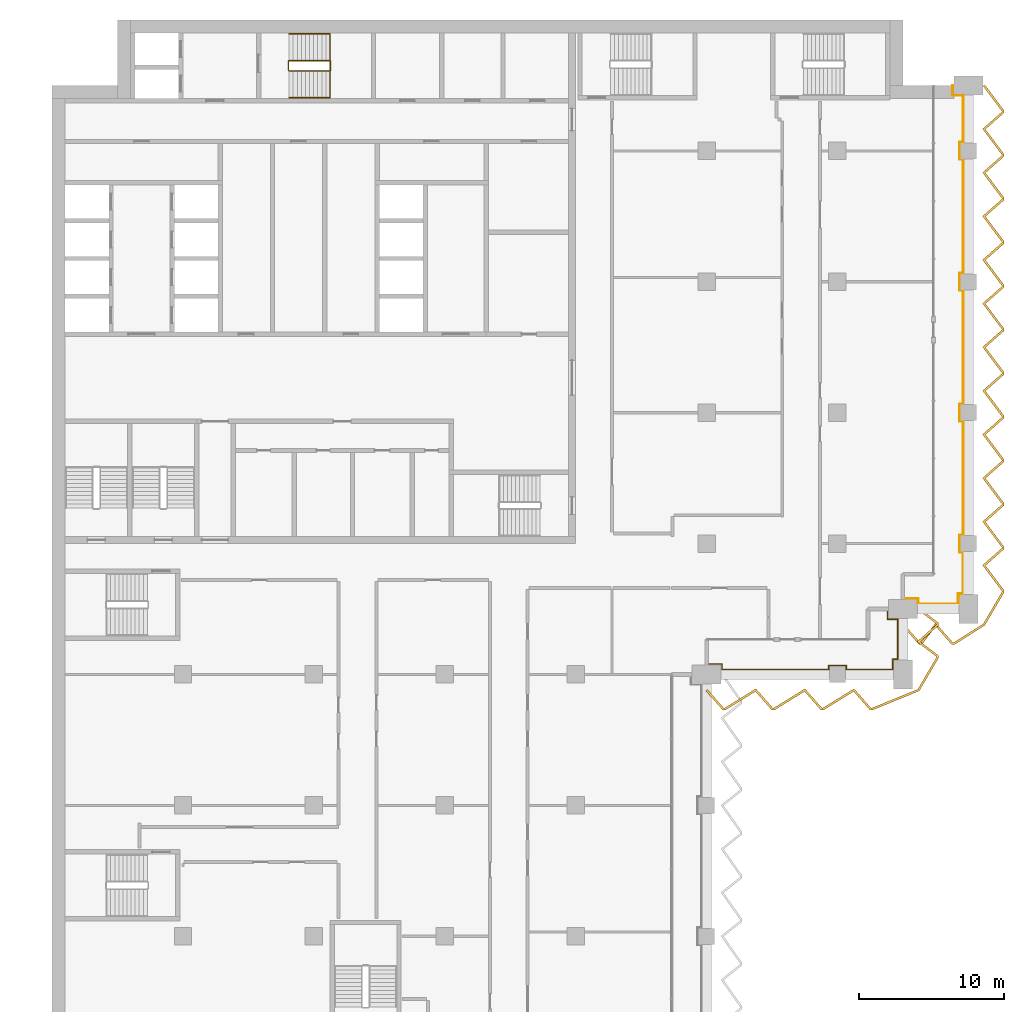
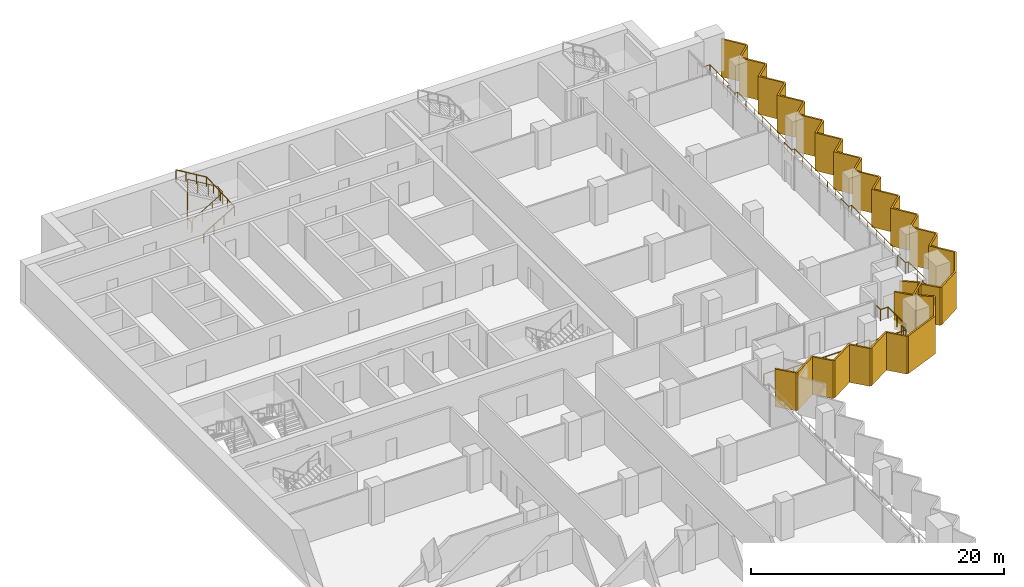
# One storey, part 22 of 23: 4 railings, 2 shading devices.
"""IFC4 building model written with IfcOpenShell, lengths in metres."""

from ifc_helpers import new_model, si_unit, direction, frame, origin, origin_2d, place, context, subcontext, project, spatial, polyline, circle, outline, extrude, material, layer, layer_set, type_object, element, save


model = new_model("IFC4")

# Units and contexts
model_context = context("Model", 3, precision=1e-05, world=origin(), true_north=direction((0.0, 1.0)))
body_context = subcontext(model_context, "Body", "Model", "MODEL_VIEW")
ifc_project = project(units=[si_unit("LENGTHUNIT", "METRE"), si_unit("AREAUNIT", "SQUARE_METRE"), si_unit("VOLUMEUNIT", "CUBIC_METRE"), si_unit("PLANEANGLEUNIT", "RADIAN"), si_unit("MASSUNIT", "GRAM", prefix="KILO")], contexts=[model_context])

# Site, building, storey
site_placement = place(None, origin())
site = spatial("IfcSite", under=ifc_project, at=site_placement, CompositionType="ELEMENT")
building_placement = place(site_placement, origin())
building = spatial("IfcBuilding", under=site, at=building_placement, Name="Hunhe Ridgeline Campus", CompositionType="ELEMENT")
storey_placement = place(building_placement, frame((0.0, 0.0, 148.60009765625)))
storey = spatial("IfcBuildingStorey", under=building, at=storey_placement, Name="L37", CompositionType="ELEMENT", Elevation=148.60009765625)

# Railings
ifc_material_1 = material(Name="Steel Q355", Category="steel")
railing_type_1 = type_object("IfcRailingType", Name="Loggia guard 1100 Steel Q355", PredefinedType="GUARDRAIL", material=ifc_material_1)
railing_1_placement = place(storey_placement, frame((45.0, 54.719970703125, 0.0)))
element("IfcRailing", 1, at=railing_1_placement, inside=storey, type_object=railing_type_1, Name="Loggia guard 2", PredefinedType="GUARDRAIL", context=body_context, shape_type="SweptSolid", body=[
    extrude(circle(Radius=0.02392578125, at=origin_2d()), frame((0.0, 0.0, 1.076171875), z_axis=(1.0, 0.0, 0.0), x_axis=(0.0, 1.0, 0.0)), (0.0, 0.0, 1.0), 1.050048828125),
    extrude(circle(Radius=0.02392578125, at=origin_2d()), frame((1.050048828125, 0.0, 1.076171875), z_axis=(0.0, -1.0, 0.0), x_axis=(1.0, 0.0, 0.0)), (0.0, 0.0, 1.0), 0.369873046875),
    extrude(circle(Radius=0.02392578125, at=origin_2d()), frame((1.050048828125, -0.369873046875, 1.076171875), z_axis=(1.0, 0.0, 0.0), x_axis=(0.0, 1.0, 0.0)), (0.0, 0.0, 1.0), 7.349853515625),
    extrude(circle(Radius=0.02392578125, at=origin_2d()), frame((8.39990234375, -0.369873046875, 1.076171875), z_axis=(0.0, 1.0, 0.0), x_axis=(-1.0, 0.0, 0.0)), (0.0, 0.0, 1.0), 0.27001953125),
    extrude(circle(Radius=0.02392578125, at=origin_2d()), frame((8.39990234375, -0.099853515625, 1.076171875), z_axis=(1.0, 0.0, 0.0), x_axis=(0.0, 1.0, 0.0)), (0.0, 0.0, 1.0), 1.2001953125),
    extrude(circle(Radius=0.02392578125, at=origin_2d()), frame((9.60009765625, -0.099853515625, 1.076171875), z_axis=(0.0, -1.0, 0.0), x_axis=(1.0, 0.0, 0.0)), (0.0, 0.0, 1.0), 0.27001953125),
    extrude(circle(Radius=0.02392578125, at=origin_2d()), frame((9.60009765625, -0.369873046875, 1.076171875), z_axis=(1.0, 0.0, 0.0), x_axis=(0.0, 1.0, 0.0)), (0.0, 0.0, 1.0), 3.199951171875),
    extrude(circle(Radius=0.02392578125, at=origin_2d()), frame((12.800048828125, -0.369873046875, 1.076171875), z_axis=(0.0, 1.0, 0.0), x_axis=(-1.0, 0.0, 0.0)), (0.0, 0.0, 1.0), 0.719970703125),
    extrude(circle(Radius=0.02392578125, at=origin_2d()), frame((12.800048828125, 0.35009765625, 1.076171875), z_axis=(-0.057089444596, -0.998369067688, 0.0), x_axis=(0.998369067688, -0.057089444596, 0.0)), (0.0, 0.0, 1.0), 0.3505859375),
    extrude(circle(Radius=0.02392578125, at=origin_2d()), frame((12.780029296875, 0.0, 1.076171875), z_axis=(0.0, 1.0, 0.0), x_axis=(-1.0, 0.0, 0.0)), (0.0, 0.0, 1.0), 0.330078125),
    extrude(circle(Radius=0.02392578125, at=origin_2d()), frame((12.780029296875, 0.330078125, 1.076171875), z_axis=(1.0, 0.0, 0.0), x_axis=(0.0, 1.0, 0.0)), (0.0, 0.0, 1.0), 0.369873046875),
    extrude(circle(Radius=0.02392578125, at=origin_2d()), frame((13.14990234375, 0.330078125, 1.076171875), z_axis=(0.0, 1.0, 0.0), x_axis=(-1.0, 0.0, 0.0)), (0.0, 0.0, 1.0), 2.75),
    extrude(circle(Radius=0.02392578125, at=origin_2d()), frame((13.14990234375, 3.080078125, 1.076171875), z_axis=(-1.0, 0.0, 0.0), x_axis=(0.0, -1.0, 0.0)), (0.0, 0.0, 1.0), 0.719970703125),
    extrude(circle(Radius=0.02392578125, at=origin_2d()), frame((12.429931640625, 3.080078125, 1.076171875), z_axis=(0.0, 1.0, 0.0), x_axis=(-1.0, 0.0, 0.0)), (0.0, 0.0, 1.0), 0.699951171875),
    extrude(circle(Radius=0.02099609375, at=origin_2d()), origin(), (0.0, 0.0, 1.0), 1.052001953125),
    extrude(circle(Radius=0.02099609375, at=origin_2d()), frame((1.050048828125, 0.0, 0.0)), (0.0, 0.0, 1.0), 1.052001953125),
    extrude(circle(Radius=0.02099609375, at=origin_2d()), frame((1.050048828125, -0.369873046875, 0.0)), (0.0, 0.0, 1.0), 1.052001953125),
    extrude(circle(Radius=0.02099609375, at=origin_2d()), frame((2.52001953125, -0.369873046875, 0.0)), (0.0, 0.0, 1.0), 1.052001953125),
    extrude(circle(Radius=0.02099609375, at=origin_2d()), frame((3.989990234375, -0.369873046875, 0.0)), (0.0, 0.0, 1.0), 1.052001953125),
    extrude(circle(Radius=0.02099609375, at=origin_2d()), frame((5.4599609375, -0.369873046875, 0.0)), (0.0, 0.0, 1.0), 1.052001953125),
    extrude(circle(Radius=0.02099609375, at=origin_2d()), frame((6.929931640625, -0.369873046875, 0.0)), (0.0, 0.0, 1.0), 1.052001953125),
    extrude(circle(Radius=0.02099609375, at=origin_2d()), frame((8.39990234375, -0.369873046875, 0.0)), (0.0, 0.0, 1.0), 1.052001953125),
    extrude(circle(Radius=0.02099609375, at=origin_2d()), frame((8.39990234375, -0.099853515625, 0.0)), (0.0, 0.0, 1.0), 1.052001953125),
    extrude(circle(Radius=0.02099609375, at=origin_2d()), frame((9.60009765625, -0.099853515625, 0.0)), (0.0, 0.0, 1.0), 1.052001953125),
    extrude(circle(Radius=0.02099609375, at=origin_2d()), frame((9.60009765625, -0.369873046875, 0.0)), (0.0, 0.0, 1.0), 1.052001953125),
    extrude(circle(Radius=0.02099609375, at=origin_2d()), frame((10.666748046875, -0.369873046875, 0.0)), (0.0, 0.0, 1.0), 1.052001953125),
    extrude(circle(Radius=0.02099609375, at=origin_2d()), frame((11.7333984375, -0.369873046875, 0.0)), (0.0, 0.0, 1.0), 1.052001953125),
    extrude(circle(Radius=0.02099609375, at=origin_2d()), frame((12.800048828125, -0.369873046875, 0.0)), (0.0, 0.0, 1.0), 1.052001953125),
    extrude(circle(Radius=0.02099609375, at=origin_2d()), frame((12.800048828125, 0.35009765625, 0.0)), (0.0, 0.0, 1.0), 1.052001953125),
    extrude(circle(Radius=0.02099609375, at=origin_2d()), frame((12.780029296875, 0.0, 0.0)), (0.0, 0.0, 1.0), 1.052001953125),
    extrude(circle(Radius=0.02099609375, at=origin_2d()), frame((12.780029296875, 0.330078125, 0.0)), (0.0, 0.0, 1.0), 1.052001953125),
    extrude(circle(Radius=0.02099609375, at=origin_2d()), frame((13.14990234375, 0.330078125, 0.0)), (0.0, 0.0, 1.0), 1.052001953125),
    extrude(circle(Radius=0.02099609375, at=origin_2d()), frame((13.14990234375, 1.705078125, 0.0)), (0.0, 0.0, 1.0), 1.052001953125),
    extrude(circle(Radius=0.02099609375, at=origin_2d()), frame((13.14990234375, 3.080078125, 0.0)), (0.0, 0.0, 1.0), 1.052001953125),
    extrude(circle(Radius=0.02099609375, at=origin_2d()), frame((12.429931640625, 3.080078125, 0.0)), (0.0, 0.0, 1.0), 1.052001953125),
    extrude(circle(Radius=0.02099609375, at=origin_2d()), frame((12.429931640625, 3.780029296875, 0.0)), (0.0, 0.0, 1.0), 1.052001953125),
])
railing_2_placement = place(storey_placement, frame((58.5, 59.219970703125, 0.0)))
element("IfcRailing", 2, at=railing_2_placement, inside=storey, type_object=railing_type_1, Name="Loggia guard 3", PredefinedType="GUARDRAIL", context=body_context, shape_type="SweptSolid", body=[
    extrude(circle(Radius=0.02392578125, at=origin_2d()), frame((0.0, 0.0, 1.076171875), z_axis=(1.0, 0.0, 0.0), x_axis=(0.0, 1.0, 0.0)), (0.0, 0.0, 1.0), 1.050048828125),
    extrude(circle(Radius=0.02392578125, at=origin_2d()), frame((1.050048828125, 0.0, 1.076171875), z_axis=(0.0, -1.0, 0.0), x_axis=(1.0, 0.0, 0.0)), (0.0, 0.0, 1.0), 0.369873046875),
    extrude(circle(Radius=0.02392578125, at=origin_2d()), frame((1.050048828125, -0.369873046875, 1.076171875), z_axis=(1.0, 0.0, 0.0), x_axis=(0.0, 1.0, 0.0)), (0.0, 0.0, 1.0), 2.75),
    extrude(circle(Radius=0.02392578125, at=origin_2d()), frame((3.800048828125, -0.369873046875, 1.076171875), z_axis=(0.0, 1.0, 0.0), x_axis=(-1.0, 0.0, 0.0)), (0.0, 0.0, 1.0), 0.719970703125),
    extrude(circle(Radius=0.02392578125, at=origin_2d()), frame((3.800048828125, 0.35009765625, 1.076171875), z_axis=(-0.057089444596, -0.998369067688, 0.0), x_axis=(0.998369067688, -0.057089444596, 0.0)), (0.0, 0.0, 1.0), 0.3505859375),
    extrude(circle(Radius=0.02392578125, at=origin_2d()), frame((3.780029296875, 0.0, 1.076171875), z_axis=(0.0, 1.0, 0.0), x_axis=(-1.0, 0.0, 0.0)), (0.0, 0.0, 1.0), 0.330078125),
    extrude(circle(Radius=0.02392578125, at=origin_2d()), frame((3.780029296875, 0.330078125, 1.076171875), z_axis=(1.0, 0.0, 0.0), x_axis=(0.0, 1.0, 0.0)), (0.0, 0.0, 1.0), 0.369873046875),
    extrude(circle(Radius=0.02392578125, at=origin_2d()), frame((4.14990234375, 0.330078125, 1.076171875), z_axis=(0.0, 1.0, 0.0), x_axis=(-1.0, 0.0, 0.0)), (0.0, 0.0, 1.0), 2.849853515625),
    extrude(circle(Radius=0.02392578125, at=origin_2d()), frame((4.14990234375, 3.179931640625, 1.076171875), z_axis=(-1.0, 0.0, 0.0), x_axis=(0.0, -1.0, 0.0)), (0.0, 0.0, 1.0), 0.27001953125),
    extrude(circle(Radius=0.02392578125, at=origin_2d()), frame((3.8798828125, 3.179931640625, 1.076171875), z_axis=(0.0, 1.0, 0.0), x_axis=(-1.0, 0.0, 0.0)), (0.0, 0.0, 1.0), 1.2001953125),
    extrude(circle(Radius=0.02392578125, at=origin_2d()), frame((3.8798828125, 4.380126953125, 1.076171875), z_axis=(1.0, 0.0, 0.0), x_axis=(0.0, 1.0, 0.0)), (0.0, 0.0, 1.0), 0.27001953125),
    extrude(circle(Radius=0.02392578125, at=origin_2d()), frame((4.14990234375, 4.380126953125, 1.076171875), z_axis=(0.0, 1.0, 0.0), x_axis=(-1.0, 0.0, 0.0)), (0.0, 0.0, 1.0), 7.7998046875),
    extrude(circle(Radius=0.02392578125, at=origin_2d()), frame((4.14990234375, 12.179931640625, 1.076171875), z_axis=(-1.0, 0.0, 0.0), x_axis=(0.0, -1.0, 0.0)), (0.0, 0.0, 1.0), 0.27001953125),
    extrude(circle(Radius=0.02392578125, at=origin_2d()), frame((3.8798828125, 12.179931640625, 1.076171875), z_axis=(0.0, 1.0, 0.0), x_axis=(-1.0, 0.0, 0.0)), (0.0, 0.0, 1.0), 1.2001953125),
    extrude(circle(Radius=0.02392578125, at=origin_2d()), frame((3.8798828125, 13.380126953125, 1.076171875), z_axis=(1.0, 0.0, 0.0), x_axis=(0.0, 1.0, 0.0)), (0.0, 0.0, 1.0), 0.27001953125),
    extrude(circle(Radius=0.02392578125, at=origin_2d()), frame((4.14990234375, 13.380126953125, 1.076171875), z_axis=(0.0, 1.0, 0.0), x_axis=(-1.0, 0.0, 0.0)), (0.0, 0.0, 1.0), 7.7998046875),
    extrude(circle(Radius=0.02392578125, at=origin_2d()), frame((4.14990234375, 21.179931640625, 1.076171875), z_axis=(-1.0, 0.0, 0.0), x_axis=(0.0, -1.0, 0.0)), (0.0, 0.0, 1.0), 0.27001953125),
    extrude(circle(Radius=0.02392578125, at=origin_2d()), frame((3.8798828125, 21.179931640625, 1.076171875), z_axis=(0.0, 1.0, 0.0), x_axis=(-1.0, 0.0, 0.0)), (0.0, 0.0, 1.0), 1.2001953125),
    extrude(circle(Radius=0.02392578125, at=origin_2d()), frame((3.8798828125, 22.380126953125, 1.076171875), z_axis=(1.0, 0.0, 0.0), x_axis=(0.0, 1.0, 0.0)), (0.0, 0.0, 1.0), 0.27001953125),
    extrude(circle(Radius=0.02392578125, at=origin_2d()), frame((4.14990234375, 22.380126953125, 1.076171875), z_axis=(0.0, 1.0, 0.0), x_axis=(-1.0, 0.0, 0.0)), (0.0, 0.0, 1.0), 7.7998046875),
    extrude(circle(Radius=0.02392578125, at=origin_2d()), frame((4.14990234375, 30.179931640625, 1.076171875), z_axis=(-1.0, 0.0, 0.0), x_axis=(0.0, -1.0, 0.0)), (0.0, 0.0, 1.0), 0.27001953125),
    extrude(circle(Radius=0.02392578125, at=origin_2d()), frame((3.8798828125, 30.179931640625, 1.076171875), z_axis=(0.0, 1.0, 0.0), x_axis=(-1.0, 0.0, 0.0)), (0.0, 0.0, 1.0), 1.2001953125),
    extrude(circle(Radius=0.02392578125, at=origin_2d()), frame((3.8798828125, 31.380126953125, 1.076171875), z_axis=(1.0, 0.0, 0.0), x_axis=(0.0, 1.0, 0.0)), (0.0, 0.0, 1.0), 0.27001953125),
    extrude(circle(Radius=0.02392578125, at=origin_2d()), frame((4.14990234375, 31.380126953125, 1.076171875), z_axis=(0.0, 1.0, 0.0), x_axis=(-1.0, 0.0, 0.0)), (0.0, 0.0, 1.0), 3.199951171875),
    extrude(circle(Radius=0.02392578125, at=origin_2d()), frame((4.14990234375, 34.580078125, 1.076171875), z_axis=(-1.0, 0.0, 0.0), x_axis=(0.0, -1.0, 0.0)), (0.0, 0.0, 1.0), 0.719970703125),
    extrude(circle(Radius=0.02392578125, at=origin_2d()), frame((3.429931640625, 34.580078125, 1.076171875), z_axis=(0.0, 1.0, 0.0), x_axis=(-1.0, 0.0, 0.0)), (0.0, 0.0, 1.0), 0.699951171875),
    extrude(circle(Radius=0.02099609375, at=origin_2d()), origin(), (0.0, 0.0, 1.0), 1.052001953125),
    extrude(circle(Radius=0.02099609375, at=origin_2d()), frame((1.050048828125, 0.0, 0.0)), (0.0, 0.0, 1.0), 1.052001953125),
    extrude(circle(Radius=0.02099609375, at=origin_2d()), frame((1.050048828125, -0.369873046875, 0.0)), (0.0, 0.0, 1.0), 1.052001953125),
    extrude(circle(Radius=0.02099609375, at=origin_2d()), frame((2.425048828125, -0.369873046875, 0.0)), (0.0, 0.0, 1.0), 1.052001953125),
    extrude(circle(Radius=0.02099609375, at=origin_2d()), frame((3.800048828125, -0.369873046875, 0.0)), (0.0, 0.0, 1.0), 1.052001953125),
    extrude(circle(Radius=0.02099609375, at=origin_2d()), frame((3.800048828125, 0.35009765625, 0.0)), (0.0, 0.0, 1.0), 1.052001953125),
    extrude(circle(Radius=0.02099609375, at=origin_2d()), frame((3.780029296875, 0.0, 0.0)), (0.0, 0.0, 1.0), 1.052001953125),
    extrude(circle(Radius=0.02099609375, at=origin_2d()), frame((3.780029296875, 0.330078125, 0.0)), (0.0, 0.0, 1.0), 1.052001953125),
    extrude(circle(Radius=0.02099609375, at=origin_2d()), frame((4.14990234375, 0.330078125, 0.0)), (0.0, 0.0, 1.0), 1.052001953125),
    extrude(circle(Radius=0.02099609375, at=origin_2d()), frame((4.14990234375, 1.7548828125, 0.0)), (0.0, 0.0, 1.0), 1.052001953125),
    extrude(circle(Radius=0.02099609375, at=origin_2d()), frame((4.14990234375, 3.179931640625, 0.0)), (0.0, 0.0, 1.0), 1.052001953125),
    extrude(circle(Radius=0.02099609375, at=origin_2d()), frame((3.8798828125, 3.179931640625, 0.0)), (0.0, 0.0, 1.0), 1.052001953125),
    extrude(circle(Radius=0.02099609375, at=origin_2d()), frame((3.8798828125, 4.380126953125, 0.0)), (0.0, 0.0, 1.0), 1.052001953125),
    extrude(circle(Radius=0.02099609375, at=origin_2d()), frame((4.14990234375, 4.380126953125, 0.0)), (0.0, 0.0, 1.0), 1.052001953125),
    extrude(circle(Radius=0.02099609375, at=origin_2d()), frame((4.14990234375, 5.68017578125, 0.0)), (0.0, 0.0, 1.0), 1.052001953125),
    extrude(circle(Radius=0.02099609375, at=origin_2d()), frame((4.14990234375, 6.97998046875, 0.0)), (0.0, 0.0, 1.0), 1.052001953125),
    extrude(circle(Radius=0.02099609375, at=origin_2d()), frame((4.14990234375, 8.280029296875, 0.0)), (0.0, 0.0, 1.0), 1.052001953125),
    extrude(circle(Radius=0.02099609375, at=origin_2d()), frame((4.14990234375, 9.580078125, 0.0)), (0.0, 0.0, 1.0), 1.052001953125),
    extrude(circle(Radius=0.02099609375, at=origin_2d()), frame((4.14990234375, 10.8798828125, 0.0)), (0.0, 0.0, 1.0), 1.052001953125),
    extrude(circle(Radius=0.02099609375, at=origin_2d()), frame((4.14990234375, 12.179931640625, 0.0)), (0.0, 0.0, 1.0), 1.052001953125),
    extrude(circle(Radius=0.02099609375, at=origin_2d()), frame((3.8798828125, 12.179931640625, 0.0)), (0.0, 0.0, 1.0), 1.052001953125),
    extrude(circle(Radius=0.02099609375, at=origin_2d()), frame((3.8798828125, 13.380126953125, 0.0)), (0.0, 0.0, 1.0), 1.052001953125),
    extrude(circle(Radius=0.02099609375, at=origin_2d()), frame((4.14990234375, 13.380126953125, 0.0)), (0.0, 0.0, 1.0), 1.052001953125),
    extrude(circle(Radius=0.02099609375, at=origin_2d()), frame((4.14990234375, 14.68017578125, 0.0)), (0.0, 0.0, 1.0), 1.052001953125),
    extrude(circle(Radius=0.02099609375, at=origin_2d()), frame((4.14990234375, 15.97998046875, 0.0)), (0.0, 0.0, 1.0), 1.052001953125),
    extrude(circle(Radius=0.02099609375, at=origin_2d()), frame((4.14990234375, 17.280029296875, 0.0)), (0.0, 0.0, 1.0), 1.052001953125),
    extrude(circle(Radius=0.02099609375, at=origin_2d()), frame((4.14990234375, 18.580078125, 0.0)), (0.0, 0.0, 1.0), 1.052001953125),
    extrude(circle(Radius=0.02099609375, at=origin_2d()), frame((4.14990234375, 19.8798828125, 0.0)), (0.0, 0.0, 1.0), 1.052001953125),
    extrude(circle(Radius=0.02099609375, at=origin_2d()), frame((4.14990234375, 21.179931640625, 0.0)), (0.0, 0.0, 1.0), 1.052001953125),
    extrude(circle(Radius=0.02099609375, at=origin_2d()), frame((3.8798828125, 21.179931640625, 0.0)), (0.0, 0.0, 1.0), 1.052001953125),
    extrude(circle(Radius=0.02099609375, at=origin_2d()), frame((3.8798828125, 22.380126953125, 0.0)), (0.0, 0.0, 1.0), 1.052001953125),
    extrude(circle(Radius=0.02099609375, at=origin_2d()), frame((4.14990234375, 22.380126953125, 0.0)), (0.0, 0.0, 1.0), 1.052001953125),
    extrude(circle(Radius=0.02099609375, at=origin_2d()), frame((4.14990234375, 23.68017578125, 0.0)), (0.0, 0.0, 1.0), 1.052001953125),
    extrude(circle(Radius=0.02099609375, at=origin_2d()), frame((4.14990234375, 24.97998046875, 0.0)), (0.0, 0.0, 1.0), 1.052001953125),
    extrude(circle(Radius=0.02099609375, at=origin_2d()), frame((4.14990234375, 26.280029296875, 0.0)), (0.0, 0.0, 1.0), 1.052001953125),
    extrude(circle(Radius=0.02099609375, at=origin_2d()), frame((4.14990234375, 27.580078125, 0.0)), (0.0, 0.0, 1.0), 1.052001953125),
    extrude(circle(Radius=0.02099609375, at=origin_2d()), frame((4.14990234375, 28.8798828125, 0.0)), (0.0, 0.0, 1.0), 1.052001953125),
    extrude(circle(Radius=0.02099609375, at=origin_2d()), frame((4.14990234375, 30.179931640625, 0.0)), (0.0, 0.0, 1.0), 1.052001953125),
    extrude(circle(Radius=0.02099609375, at=origin_2d()), frame((3.8798828125, 30.179931640625, 0.0)), (0.0, 0.0, 1.0), 1.052001953125),
    extrude(circle(Radius=0.02099609375, at=origin_2d()), frame((3.8798828125, 31.380126953125, 0.0)), (0.0, 0.0, 1.0), 1.052001953125),
    extrude(circle(Radius=0.02099609375, at=origin_2d()), frame((4.14990234375, 31.380126953125, 0.0)), (0.0, 0.0, 1.0), 1.052001953125),
    extrude(circle(Radius=0.02099609375, at=origin_2d()), frame((4.14990234375, 32.44677734375, 0.0)), (0.0, 0.0, 1.0), 1.052001953125),
    extrude(circle(Radius=0.02099609375, at=origin_2d()), frame((4.14990234375, 33.513427734375, 0.0)), (0.0, 0.0, 1.0), 1.052001953125),
    extrude(circle(Radius=0.02099609375, at=origin_2d()), frame((4.14990234375, 34.580078125, 0.0)), (0.0, 0.0, 1.0), 1.052001953125),
    extrude(circle(Radius=0.02099609375, at=origin_2d()), frame((3.429931640625, 34.580078125, 0.0)), (0.0, 0.0, 1.0), 1.052001953125),
    extrude(circle(Radius=0.02099609375, at=origin_2d()), frame((3.429931640625, 35.280029296875, 0.0)), (0.0, 0.0, 1.0), 1.052001953125),
])

# Shading devices
ifc_material_2 = material(Name="Concrete C50", Category="concrete")
ifc_layer = layer(ifc_material_2, 0.14990234375)
ifc_layer_set = layer_set([ifc_layer], Name="Sawtooth concrete fin 150 Concrete C50")
shading_device_type = type_object("IfcShadingDeviceType", Name="Sawtooth concrete fin 150 Concrete C50", PredefinedType="USERDEFINED", material=ifc_layer_set)
shading_device_1_placement = place(storey_placement, frame((0.0, 0.0, -0.9501953125)))
element("IfcShadingDevice", 3, at=shading_device_1_placement, inside=storey, type_object=shading_device_type, Name="Concrete fin screen 2", ObjectType="FIN", PredefinedType="USERDEFINED", context=body_context, shape_type="SweptSolid", body=[
    extrude(outline(polyline([(45.05615234375, 52.974609375), (44.94384765625, 52.87548828125), (46.11328125, 51.550048828125), (46.288330078125, 51.550048828125), (48.360595703125, 52.827880859375), (49.48828125, 51.550048828125), (49.663330078125, 51.550048828125), (51.735595703125, 52.827880859375), (52.86328125, 51.550048828125), (53.038330078125, 51.550048828125), (55.110595703125, 52.827880859375), (56.23828125, 51.550048828125), (56.40673828125, 51.550048828125), (59.626953125, 52.865234375), (60.949951171875, 55.126708984375), (60.949951171875, 55.304443359375), (59.693359375, 56.25439453125), (60.949951171875, 57.36328125), (60.949951171875, 57.554443359375), (59.6201171875, 58.559814453125), (59.52978515625, 58.440185546875), (60.800048828125, 57.479736328125), (60.800048828125, 57.430908203125), (59.45654296875, 56.24560546875), (60.800048828125, 55.229736328125), (60.800048828125, 55.16748046875), (59.523193359375, 52.98486328125), (56.37744140625, 51.699951171875), (56.305908203125, 51.699951171875), (55.139404296875, 53.02197265625), (52.995849609375, 51.699951171875), (52.930908203125, 51.699951171875), (51.764404296875, 53.02197265625), (49.620849609375, 51.699951171875), (49.555908203125, 51.699951171875), (48.389404296875, 53.02197265625), (46.245849609375, 51.699951171875), (46.180908203125, 51.699951171875), (45.05615234375, 52.974609375)])), origin(), (0.0, 0.0, 1.0), 3.650146484375),
])
shading_device_2_placement = place(storey_placement, frame((0.0, 0.0, -0.9501953125)))
element("IfcShadingDevice", 4, at=shading_device_2_placement, inside=storey, type_object=shading_device_type, Name="Concrete fin screen 3", ObjectType="FIN", PredefinedType="USERDEFINED", context=body_context, shape_type="SweptSolid", body=[
    extrude(outline(polyline([(58.55615234375, 57.474609375), (58.44384765625, 57.37548828125), (59.61328125, 56.050048828125), (59.804443359375, 56.050048828125), (60.75439453125, 57.306640625), (61.86328125, 56.050048828125), (62.038818359375, 56.050048828125), (64.130615234375, 57.371337890625), (65.449951171875, 59.626708984375), (65.449951171875, 59.792236328125), (64.176513671875, 61.489501953125), (65.449951171875, 62.61328125), (65.449951171875, 62.792236328125), (64.176513671875, 64.489501953125), (65.449951171875, 65.61328125), (65.449951171875, 65.792236328125), (64.176513671875, 67.489501953125), (65.449951171875, 68.61328125), (65.449951171875, 68.792236328125), (64.176513671875, 70.489501953125), (65.449951171875, 71.61328125), (65.449951171875, 71.792236328125), (64.176513671875, 73.489501953125), (65.449951171875, 74.61328125), (65.449951171875, 74.792236328125), (64.176513671875, 76.489501953125), (65.449951171875, 77.61328125), (65.449951171875, 77.792236328125), (64.176513671875, 79.489501953125), (65.449951171875, 80.61328125), (65.449951171875, 80.792236328125), (64.176513671875, 82.489501953125), (65.449951171875, 83.61328125), (65.449951171875, 83.792236328125), (64.176513671875, 85.489501953125), (65.449951171875, 86.61328125), (65.449951171875, 86.792236328125), (64.176513671875, 88.489501953125), (65.449951171875, 89.61328125), (65.449951171875, 89.792236328125), (64.176513671875, 91.489501953125), (65.449951171875, 92.61328125), (65.449951171875, 92.792236328125), (64.135009765625, 94.544921875), (64.014892578125, 94.455078125), (65.300048828125, 92.7421875), (65.300048828125, 92.680908203125), (63.973388671875, 91.510498046875), (65.300048828125, 89.7421875), (65.300048828125, 89.680908203125), (63.973388671875, 88.510498046875), (65.300048828125, 86.7421875), (65.300048828125, 86.680908203125), (63.973388671875, 85.510498046875), (65.300048828125, 83.7421875), (65.300048828125, 83.680908203125), (63.973388671875, 82.510498046875), (65.300048828125, 80.7421875), (65.300048828125, 80.680908203125), (63.973388671875, 79.510498046875), (65.300048828125, 77.7421875), (65.300048828125, 77.680908203125), (63.973388671875, 76.510498046875), (65.300048828125, 74.7421875), (65.300048828125, 74.680908203125), (63.973388671875, 73.510498046875), (65.300048828125, 71.7421875), (65.300048828125, 71.680908203125), (63.973388671875, 70.510498046875), (65.300048828125, 68.7421875), (65.300048828125, 68.680908203125), (63.973388671875, 67.510498046875), (65.300048828125, 65.7421875), (65.300048828125, 65.680908203125), (63.973388671875, 64.510498046875), (65.300048828125, 62.7421875), (65.300048828125, 62.680908203125), (63.973388671875, 61.510498046875), (65.300048828125, 59.7421875), (65.300048828125, 59.66748046875), (64.01953125, 57.478759765625), (61.995361328125, 56.199951171875), (61.930908203125, 56.199951171875), (60.74560546875, 57.54345703125), (59.729736328125, 56.199951171875), (59.680908203125, 56.199951171875), (58.55615234375, 57.474609375)])), origin(), (0.0, 0.0, 1.0), 3.650146484375),
])

# Railings
ifc_material_3 = material(Name="Stainless steel balustrade", Category="steel")
railing_type_2 = type_object("IfcRailingType", Name="Stair guard 1100 stainless", PredefinedType="GUARDRAIL", material=ifc_material_3)
railing_3_placement = place(storey_placement, frame((16.300048828125, 95.5, 0.16796875)))
element("IfcRailing", 5, at=railing_3_placement, inside=storey, type_object=railing_type_2, Name="L37 stair S1 guard", PredefinedType="GUARDRAIL", context=body_context, shape_type="SweptSolid", body=[
    extrude(circle(Radius=0.02392578125, at=origin_2d()), frame((0.0, 0.0, 1.076171875), z_axis=(0.857242210791, 0.0, 0.514913383045), x_axis=(0.0, 1.0, 0.0)), (0.0, 0.0, 1.0), 3.266357421875),
    extrude(circle(Radius=0.02392578125, at=origin_2d()), frame((2.800048828125, 0.0, 2.7578125), z_axis=(0.705375805398, 0.708833529934, 0.0), x_axis=(-0.708833529934, 0.705375805398, 0.0)), (0.0, 0.0, 1.0), 0.070556640625),
    extrude(circle(Radius=0.02392578125, at=origin_2d()), frame((2.849853515625, 0.050048828125, 2.7578125), z_axis=(0.0, 1.0, 0.0), x_axis=(-1.0, 0.0, 0.0)), (0.0, 0.0, 1.0), 0.599853515625),
    extrude(circle(Radius=0.02392578125, at=origin_2d()), frame((2.849853515625, 0.64990234375, 2.7578125), z_axis=(-0.273006030465, 0.27434429532, 0.922064485248), x_axis=(-0.708833529934, -0.705375805398, 0.0)), (0.0, 0.0, 1.0), 0.182373046875),
    extrude(circle(Radius=0.02392578125, at=origin_2d()), frame((2.800048828125, 0.699951171875, 2.92626953125), z_axis=(-0.857242210791, 0.0, 0.514913383045), x_axis=(0.0, -1.0, 0.0)), (0.0, 0.0, 1.0), 3.266357421875),
    extrude(circle(Radius=0.02392578125, at=origin_2d()), frame((0.0, 0.699951171875, 4.60791015625), z_axis=(-0.013524414389, -0.013524414389, -0.999817073484), x_axis=(0.707106781187, -0.707106781187, 0.0)), (0.0, 0.0, 1.0), 3.70068359375),
    extrude(circle(Radius=0.02392578125, at=origin_2d()), frame((-0.050048828125, 0.64990234375, 0.908203125), z_axis=(0.0, -1.0, 0.0), x_axis=(1.0, 0.0, 0.0)), (0.0, 0.0, 1.0), 0.599853515625),
    extrude(circle(Radius=0.02099609375, at=origin_2d()), origin(), (0.0, 0.0, 1.0), 1.052001953125),
    extrude(circle(Radius=0.02099609375, at=origin_2d()), frame((0.933349609375, 0.0, 0.560546875)), (0.0, 0.0, 1.0), 1.052001953125),
    extrude(circle(Radius=0.02099609375, at=origin_2d()), frame((1.86669921875, 0.0, 1.121337890625)), (0.0, 0.0, 1.0), 1.052001953125),
    extrude(circle(Radius=0.02099609375, at=origin_2d()), frame((2.800048828125, 0.0, 1.681884765625)), (0.0, 0.0, 1.0), 1.052001953125),
    extrude(circle(Radius=0.02099609375, at=origin_2d()), frame((2.849853515625, 0.050048828125, 1.681884765625)), (0.0, 0.0, 1.0), 1.052001953125),
    extrude(circle(Radius=0.02099609375, at=origin_2d()), frame((2.849853515625, 0.64990234375, 1.681884765625)), (0.0, 0.0, 1.0), 1.052001953125),
    extrude(circle(Radius=0.02099609375, at=origin_2d()), frame((2.800048828125, 0.699951171875, 1.85009765625)), (0.0, 0.0, 1.0), 1.052001953125),
    extrude(circle(Radius=0.02099609375, at=origin_2d()), frame((1.86669921875, 0.699951171875, 2.41064453125)), (0.0, 0.0, 1.0), 1.052001953125),
    extrude(circle(Radius=0.02099609375, at=origin_2d()), frame((0.933349609375, 0.699951171875, 2.971435546875)), (0.0, 0.0, 1.0), 1.052001953125),
    extrude(circle(Radius=0.02099609375, at=origin_2d()), frame((0.0, 0.699951171875, 3.531982421875)), (0.0, 0.0, 1.0), 1.052001953125),
    extrude(circle(Radius=0.02099609375, at=origin_2d()), frame((-0.012451171875, 0.6875, 2.60693359375)), (0.0, 0.0, 1.0), 1.052001953125),
    extrude(circle(Radius=0.02099609375, at=origin_2d()), frame((-0.02490234375, 0.6748046875, 1.68212890625)), (0.0, 0.0, 1.0), 1.052001953125),
    extrude(circle(Radius=0.02099609375, at=origin_2d()), frame((-0.03759765625, 0.662353515625, 0.757080078125)), (0.0, 0.0, 1.0), 1.052001953125),
    extrude(circle(Radius=0.02099609375, at=origin_2d()), frame((-0.050048828125, 0.64990234375, -0.16796875)), (0.0, 0.0, 1.0), 1.052001953125),
    extrude(circle(Radius=0.02099609375, at=origin_2d()), frame((-0.050048828125, 0.050048828125, -0.16796875)), (0.0, 0.0, 1.0), 1.052001953125),
])
ifc_material_4 = material(Name="Stainless steel handrail", Category="steel")
railing_type_3 = type_object("IfcRailingType", Name="Stair handrail 900 stainless", PredefinedType="HANDRAIL", material=ifc_material_4)
railing_4_placement = place(storey_placement, frame((16.300048828125, 93.64990234375, 0.16796875)))
element("IfcRailing", 6, at=railing_4_placement, inside=storey, type_object=railing_type_3, Name="L37 stair S1 handrail", PredefinedType="HANDRAIL", context=body_context, shape_type="SweptSolid", body=[
    extrude(circle(Radius=0.02392578125, at=origin_2d()), frame((0.0, 0.0, 0.8759765625), z_axis=(0.857242210791, 0.0, 0.514913383045), x_axis=(0.0, 1.0, 0.0)), (0.0, 0.0, 1.0), 3.266357421875),
    extrude(circle(Radius=0.02392578125, at=origin_2d()), frame((2.800048828125, 0.0, 2.5576171875), z_axis=(0.0, 0.999270074432, 0.038201025428), x_axis=(-1.0, 0.0, 0.0)), (0.0, 0.0, 1.0), 4.4033203125),
    extrude(circle(Radius=0.02392578125, at=origin_2d()), frame((2.800048828125, 4.400146484375, 2.72607421875), z_axis=(-0.857242210791, 0.0, 0.514913383045), x_axis=(0.0, -1.0, 0.0)), (0.0, 0.0, 1.0), 3.266357421875),
    extrude(circle(Radius=0.02099609375, at=origin_2d()), origin(), (0.0, 0.0, 1.0), 0.851806640625),
    extrude(circle(Radius=0.02099609375, at=origin_2d()), frame((0.933349609375, 0.0, 0.560546875)), (0.0, 0.0, 1.0), 0.851806640625),
    extrude(circle(Radius=0.02099609375, at=origin_2d()), frame((1.86669921875, 0.0, 1.121337890625)), (0.0, 0.0, 1.0), 0.851806640625),
    extrude(circle(Radius=0.02099609375, at=origin_2d()), frame((2.800048828125, 0.0, 1.681884765625)), (0.0, 0.0, 1.0), 0.851806640625),
    extrude(circle(Radius=0.02099609375, at=origin_2d()), frame((2.800048828125, 1.10009765625, 1.723876953125)), (0.0, 0.0, 1.0), 0.851806640625),
    extrude(circle(Radius=0.02099609375, at=origin_2d()), frame((2.800048828125, 2.2001953125, 1.76611328125)), (0.0, 0.0, 1.0), 0.851806640625),
    extrude(circle(Radius=0.02099609375, at=origin_2d()), frame((2.800048828125, 3.300048828125, 1.80810546875)), (0.0, 0.0, 1.0), 0.851806640625),
    extrude(circle(Radius=0.02099609375, at=origin_2d()), frame((2.800048828125, 4.400146484375, 1.85009765625)), (0.0, 0.0, 1.0), 0.851806640625),
    extrude(circle(Radius=0.02099609375, at=origin_2d()), frame((1.86669921875, 4.400146484375, 2.41064453125)), (0.0, 0.0, 1.0), 0.851806640625),
    extrude(circle(Radius=0.02099609375, at=origin_2d()), frame((0.933349609375, 4.400146484375, 2.971435546875)), (0.0, 0.0, 1.0), 0.851806640625),
    extrude(circle(Radius=0.02099609375, at=origin_2d()), frame((0.0, 4.400146484375, 3.531982421875)), (0.0, 0.0, 1.0), 0.851806640625),
])

save(model, "model.ifc")
